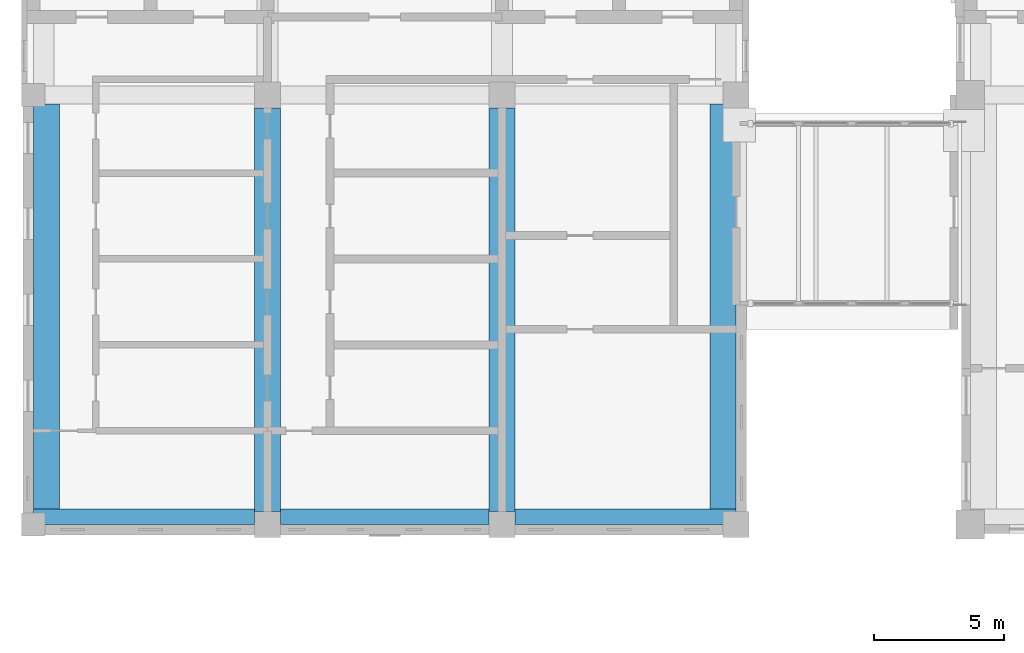
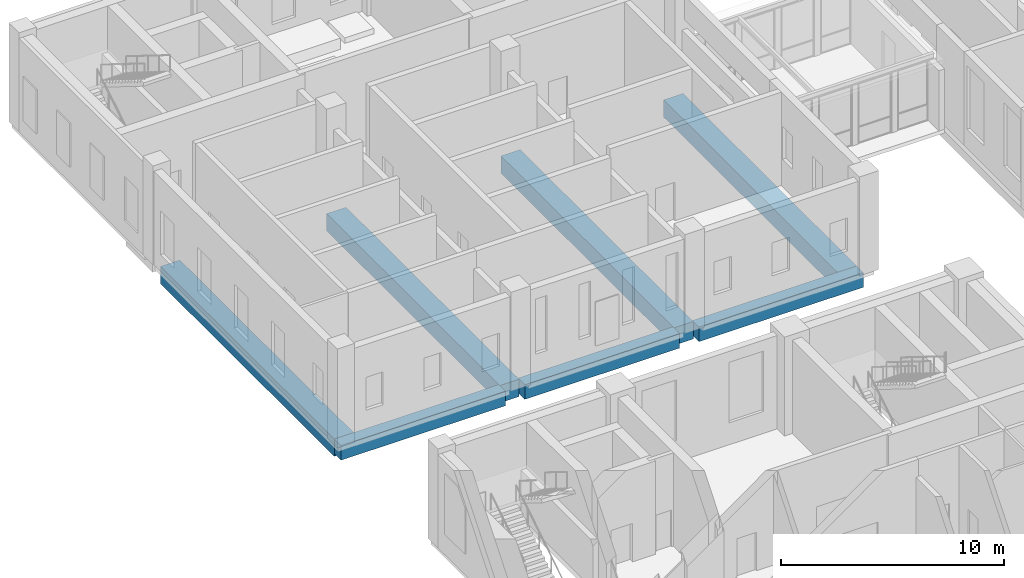
# One storey, part 9 of 52: 7 beams.
"""IFC4 building model written with IfcOpenShell, lengths in metres."""

from ifc_helpers import new_model, si_unit, direction, frame, origin, origin_2d, place, context, subcontext, project, spatial, rectangle, extrude, material, material_profile, profile_set, type_object, element, save


model = new_model("IFC4")

# Units and contexts
model_context = context("Model", 3, precision=1e-05, world=origin(), true_north=direction((0.0, 1.0)))
body_context = subcontext(model_context, "Body", "Model", "MODEL_VIEW")
ifc_project = project(units=[si_unit("LENGTHUNIT", "METRE"), si_unit("AREAUNIT", "SQUARE_METRE"), si_unit("VOLUMEUNIT", "CUBIC_METRE"), si_unit("PLANEANGLEUNIT", "RADIAN"), si_unit("MASSUNIT", "GRAM", prefix="KILO")], contexts=[model_context])

# Site, building, storey
site_placement = place(None, origin())
site = spatial("IfcSite", under=ifc_project, at=site_placement, CompositionType="ELEMENT")
building_placement = place(site_placement, origin())
building = spatial("IfcBuilding", under=site, at=building_placement, Name="Aurelan Courthouse", CompositionType="ELEMENT")
storey_placement = place(building_placement, frame((0.0, 0.0, 6.60009765625)))
storey = spatial("IfcBuildingStorey", under=building, at=storey_placement, Name="L01", CompositionType="ELEMENT", Elevation=6.60009765625)

# Beams
ifc_material = material(Name="Concrete C50", Category="concrete")
ifc_material_profile_1 = material_profile(ifc_material, rectangle(XDim=1.0, YDim=0.949951171875, at=origin_2d()), Name="RC 1000 x 950")
ifc_profile_set_1 = profile_set([ifc_material_profile_1], Name="Concrete C50")
beam_type_1 = type_object("IfcBeamType", Name="PT girder 1000 x 950", PredefinedType="BEAM", material=ifc_profile_set_1)
beam_1_placement = place(storey_placement, frame((0.5, 38.10009765625, -0.775146484375), z_axis=(0.0, 1.0, 0.0), x_axis=(-1.0, 0.0, 0.0)))
element("IfcBeam", 1, at=beam_1_placement, inside=storey, type_object=beam_type_1, Name="Girder GB-1DE-E", PredefinedType="BEAM", context=body_context, shape_type="SweptSolid", body=[
    extrude(rectangle(XDim=1.0, YDim=0.949951171875, at=origin_2d()), origin(), (0.0, 0.0, 1.0), 15.5498046875),
])
for number, where, z_axis, x_axis, name in (
    (2, (9.0, 38.0, -0.775146484375), (0.0, 1.0, 0.0), (-1.0, 0.0, 0.0), "Girder GB-2DE"),
    (3, (18.0, 38.0, -0.775146484375), (0.0, 1.0, 0.0), (-1.0, 0.0, 0.0), "Girder GB-3DE"),
):
    element("IfcBeam", number, at=place(storey_placement, frame(where, z_axis=z_axis, x_axis=x_axis)), inside=storey, type_object=beam_type_1, Name=name, PredefinedType="BEAM", context=body_context, shape_type="SweptSolid", body=[
        extrude(rectangle(XDim=1.0, YDim=0.949951171875, at=origin_2d()), origin(), (0.0, 0.0, 1.0), 15.5),
    ])
beam_2_placement = place(storey_placement, frame((26.5, 38.10009765625, -0.775146484375), z_axis=(0.0, 1.0, 0.0), x_axis=(-1.0, 0.0, 0.0)))
element("IfcBeam", 4, at=beam_2_placement, inside=storey, type_object=beam_type_1, Name="Girder GB-4DE-E", PredefinedType="BEAM", context=body_context, shape_type="SweptSolid", body=[
    extrude(rectangle(XDim=1.0, YDim=0.949951171875, at=origin_2d()), origin(), (0.0, 0.0, 1.0), 15.5498046875),
])
ifc_material_profile_2 = material_profile(ifc_material, rectangle(XDim=0.60009765625, YDim=0.800048828125, at=origin_2d()), Name="RC 600 x 800")
ifc_profile_set_2 = profile_set([ifc_material_profile_2], Name="Concrete C50")
beam_type_2 = type_object("IfcBeamType", Name="RC spandrel beam 600 x 800", PredefinedType="SPANDREL", material=ifc_profile_set_2)
beam_3_placement = place(storey_placement, frame((0.0, 37.800048828125, -0.7001953125), z_axis=(1.0, 0.0, 0.0), x_axis=(0.0, 1.0, 0.0)))
element("IfcBeam", 5, at=beam_3_placement, inside=storey, type_object=beam_type_2, Name="Spandrel beam SB-D-1-2", PredefinedType="SPANDREL", context=body_context, shape_type="SweptSolid", body=[
    extrude(rectangle(XDim=0.60009765625, YDim=0.800048828125, at=origin_2d()), origin(), (0.0, 0.0, 1.0), 8.5),
])
beam_4_placement = place(storey_placement, frame((9.5, 37.800048828125, -0.7001953125), z_axis=(1.0, 0.0, 0.0), x_axis=(0.0, 1.0, 0.0)))
element("IfcBeam", 6, at=beam_4_placement, inside=storey, type_object=beam_type_2, Name="Spandrel beam SB-D-2-3", PredefinedType="SPANDREL", context=body_context, shape_type="SweptSolid", body=[
    extrude(rectangle(XDim=0.60009765625, YDim=0.800048828125, at=origin_2d()), origin(), (0.0, 0.0, 1.0), 8.0),
])
beam_5_placement = place(storey_placement, frame((18.5, 37.800048828125, -0.7001953125), z_axis=(1.0, 0.0, 0.0), x_axis=(0.0, 1.0, 0.0)))
element("IfcBeam", 7, at=beam_5_placement, inside=storey, type_object=beam_type_2, Name="Spandrel beam SB-D-3-4", PredefinedType="SPANDREL", context=body_context, shape_type="SweptSolid", body=[
    extrude(rectangle(XDim=0.60009765625, YDim=0.800048828125, at=origin_2d()), origin(), (0.0, 0.0, 1.0), 8.5),
])

save(model, "model.ifc")
